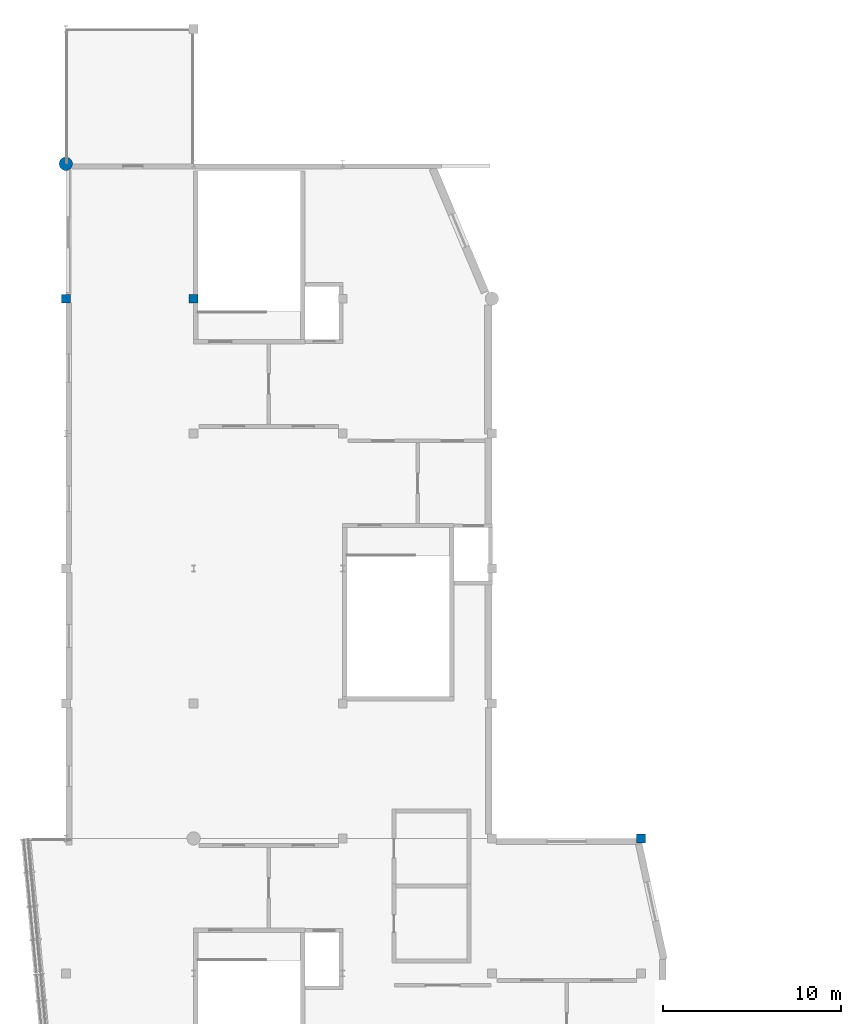
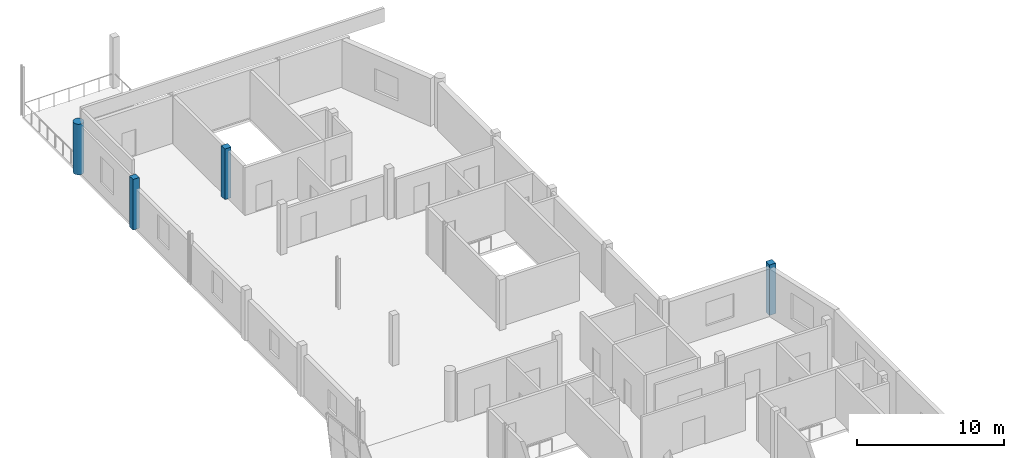
# One storey, part 5 of 17: 4 columns.
"""IFC4 building model written with IfcOpenShell, lengths in metres."""

from ifc_helpers import new_model, si_unit, direction, frame, origin, origin_2d, place, context, subcontext, project, spatial, rectangle, circle, extrude, material, material_profile, profile_set, type_object, element, save


model = new_model("IFC4")

# Units and contexts
model_context = context("Model", 3, precision=1e-05, world=origin(), true_north=direction((0.0, 1.0)))
body_context = subcontext(model_context, "Body", "Model", "MODEL_VIEW")
ifc_project = project(units=[si_unit("LENGTHUNIT", "METRE"), si_unit("AREAUNIT", "SQUARE_METRE"), si_unit("VOLUMEUNIT", "CUBIC_METRE"), si_unit("PLANEANGLEUNIT", "RADIAN"), si_unit("MASSUNIT", "GRAM", prefix="KILO")], contexts=[model_context])

# Site, building, storey
site_placement = place(None, origin())
site = spatial("IfcSite", under=ifc_project, at=site_placement, CompositionType="ELEMENT")
building_placement = place(site_placement, origin())
building = spatial("IfcBuilding", under=site, at=building_placement, Name="Xicomal Pleat Aquarium", CompositionType="ELEMENT")
storey_placement = place(building_placement, frame((0.0, 0.0, 19.800048828125)))
storey = spatial("IfcBuildingStorey", under=building, at=storey_placement, Name="L05", CompositionType="ELEMENT", Elevation=19.800048828125)

# Columns
ifc_material_1 = material(Name="Concrete C35/45", Category="concrete")
ifc_material_profile_1 = material_profile(ifc_material_1, rectangle(XDim=0.5, YDim=0.5, at=origin_2d()), Name="RC 500x500")
ifc_profile_set_1 = profile_set([ifc_material_profile_1], Name="Concrete C35/45")
column_type_1 = type_object("IfcColumnType", Name="COL-RC-500x500", PredefinedType="COLUMN", material=ifc_profile_set_1)
for number, where, z_axis, x_axis, name in (
    (1, (3.0, 68.39990234375, 0.0), (0.0, 0.0, 1.0), (1.0, 0.0, 0.0), "L05 column 01/K"),
    (2, (10.199951171875, 68.39990234375, 0.0), (0.0, 0.0, 1.0), (1.0, 0.0, 0.0), "L05 column 02/K"),
    (3, (35.39990234375, 38.0, 0.0), (0.0, 0.0, 1.0), (1.0, 0.0, 0.0), "L05 column 05/F"),
):
    element("IfcColumn", number, at=place(storey_placement, frame(where, z_axis=z_axis, x_axis=x_axis)), inside=storey, type_object=column_type_1, Name=name, PredefinedType="COLUMN", context=body_context, shape_type="SweptSolid", body=[
        extrude(rectangle(XDim=0.5, YDim=0.5, at=origin_2d()), origin(), (0.0, 0.0, 1.0), 4.199951171875),
    ])
ifc_material_2 = material(Name="Concrete C40/50", Category="concrete")
ifc_material_profile_2 = material_profile(ifc_material_2, circle(Radius=0.375, at=origin_2d()), Name="RCC D750")
ifc_profile_set_2 = profile_set([ifc_material_profile_2], Name="Concrete C40/50")
column_type_2 = type_object("IfcColumnType", Name="COL-RCC-D750", PredefinedType="COLUMN", material=ifc_profile_set_2)
column_placement = place(storey_placement, frame((3.0, 76.0, 0.0), z_axis=(0.0, 0.0, 1.0), x_axis=(1.0, 0.0, 0.0)))
element("IfcColumn", 4, at=column_placement, inside=storey, type_object=column_type_2, Name="L05 column 01/L", PredefinedType="COLUMN", context=body_context, shape_type="SweptSolid", body=[
    extrude(circle(Radius=0.375, at=origin_2d()), origin(), (0.0, 0.0, 1.0), 4.199951171875),
])

save(model, "model.ifc")
